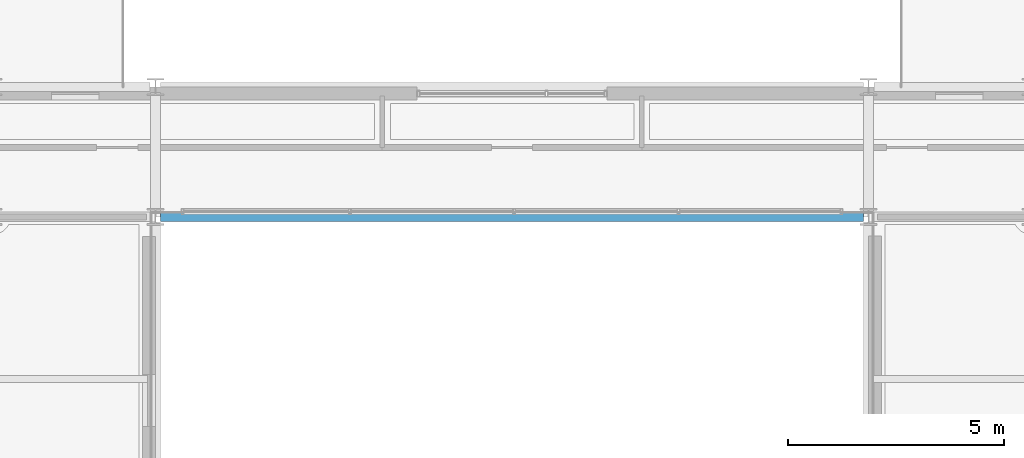
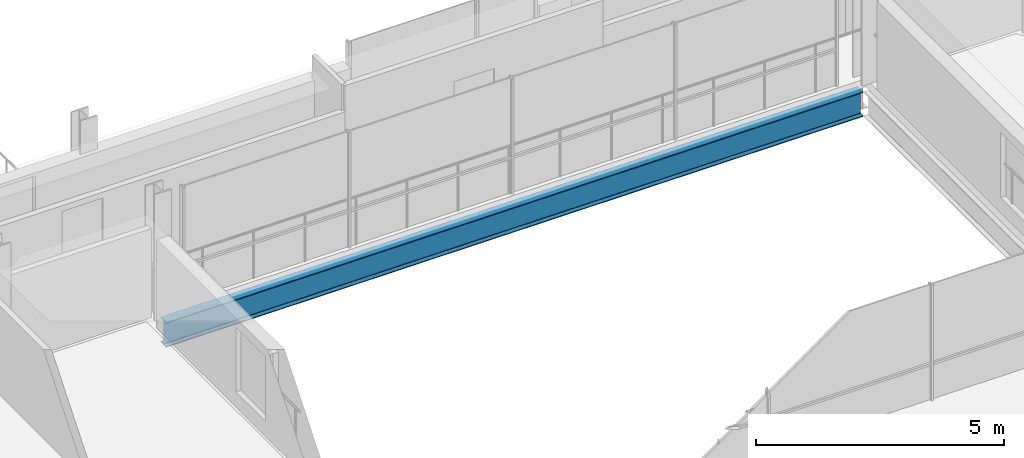
# One storey, part 11 of 36: 1 beam.
"""IFC4 building model written with IfcOpenShell, lengths in metres."""

from ifc_helpers import new_model, si_unit, direction, frame, origin, origin_2d, place, context, subcontext, project, spatial, i_section, extrude, material, material_profile, profile_set, type_object, element, save


model = new_model("IFC4")

# Units and contexts
model_context = context("Model", 3, precision=1e-05, world=origin(), true_north=direction((0.0, 1.0)))
body_context = subcontext(model_context, "Body", "Model", "MODEL_VIEW")
ifc_project = project(units=[si_unit("LENGTHUNIT", "METRE"), si_unit("AREAUNIT", "SQUARE_METRE"), si_unit("VOLUMEUNIT", "CUBIC_METRE"), si_unit("PLANEANGLEUNIT", "RADIAN"), si_unit("MASSUNIT", "GRAM", prefix="KILO")], contexts=[model_context])

# Site, building, storey
site_placement = place(None, origin())
site = spatial("IfcSite", under=ifc_project, at=site_placement, CompositionType="ELEMENT")
building_placement = place(site_placement, origin())
building = spatial("IfcBuilding", under=site, at=building_placement, Name="Brevholm Reach", CompositionType="ELEMENT")
storey_placement = place(building_placement, frame((0.0, 0.0, 175.89990234375)))
storey = spatial("IfcBuildingStorey", under=building, at=storey_placement, Name="L53", CompositionType="ELEMENT", Elevation=175.89990234375)

# Beam
ifc_material = material(Name="Structural Steel S355J2", Category="steel")
ifc_material_profile = material_profile(ifc_material, i_section(OverallWidth=0.22900390625, OverallDepth=0.6123046875, WebThickness=0.011962890625, FlangeThickness=0.01953125, FilletRadius=0.0126953125, at=origin_2d()), Name="UKB 610x229x125")
ifc_profile_set = profile_set([ifc_material_profile], Name="Structural Steel S355J2")
beam_type = type_object("IfcBeamType", Name="BM-SP610", PredefinedType="SPANDREL", material=ifc_profile_set)
beam_placement = place(storey_placement, frame((21.8701171875, 23.5, -0.51611328125), z_axis=(1.0, 0.0, 0.0), x_axis=(0.0, 1.0, 0.0)))
element("IfcBeam", 1, at=beam_placement, inside=storey, type_object=beam_type, Name="L53 SP-01 Framing Beam", PredefinedType="SPANDREL", context=body_context, shape_type="SweptSolid", body=[
    extrude(i_section(OverallWidth=0.22900390625, OverallDepth=0.6123046875, WebThickness=0.011962890625, FlangeThickness=0.01953125, FilletRadius=0.0126953125, at=origin_2d()), origin(), (0.0, 0.0, 1.0), 16.259765625),
])

save(model, "model.ifc")
